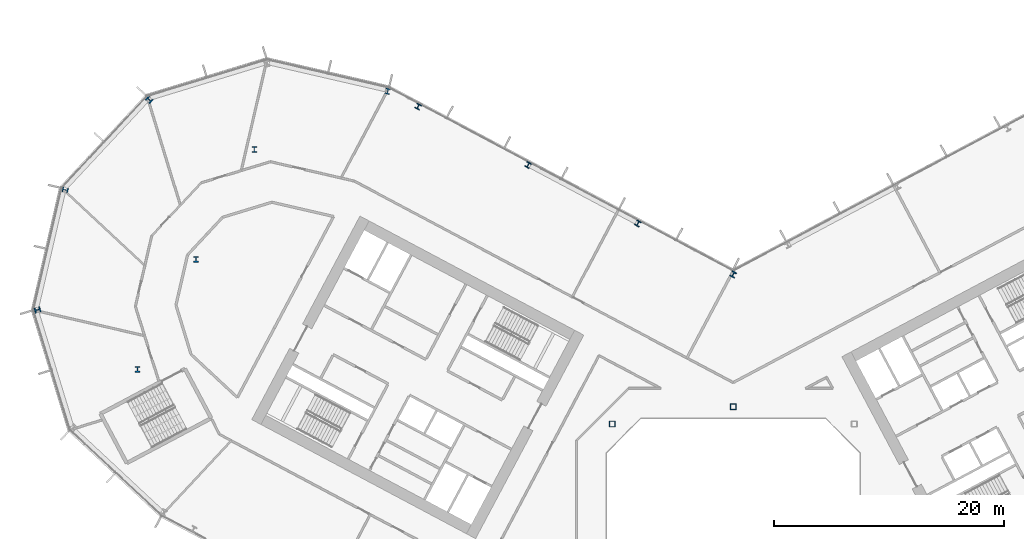
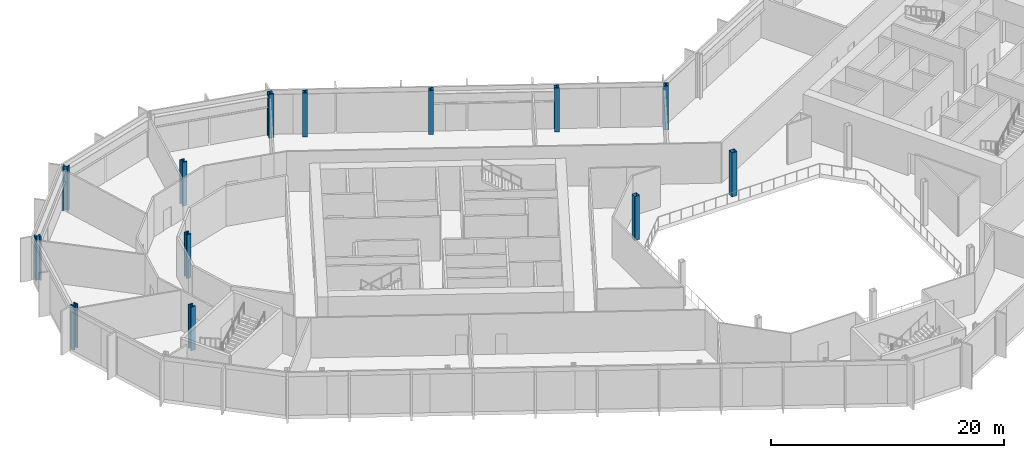
# One storey, part 2 of 30: 13 columns.
"""IFC4 building model written with IfcOpenShell, lengths in metres."""

from ifc_helpers import new_model, si_unit, direction, frame, origin, origin_2d, place, context, subcontext, project, spatial, hollow_rectangle, i_section, extrude, material, material_profile, profile_set, type_object, element, save


model = new_model("IFC4")

# Units and contexts
model_context = context("Model", 3, precision=1e-05, world=origin(), true_north=direction((0.0, 1.0)))
body_context = subcontext(model_context, "Body", "Model", "MODEL_VIEW")
ifc_project = project(units=[si_unit("LENGTHUNIT", "METRE"), si_unit("AREAUNIT", "SQUARE_METRE"), si_unit("VOLUMEUNIT", "CUBIC_METRE"), si_unit("PLANEANGLEUNIT", "RADIAN"), si_unit("MASSUNIT", "GRAM", prefix="KILO")], contexts=[model_context])

# Site, building, storey
site_placement = place(None, origin())
site = spatial("IfcSite", under=ifc_project, at=site_placement, CompositionType="ELEMENT")
building_placement = place(site_placement, origin())
building = spatial("IfcBuilding", under=site, at=building_placement, Name="Cormorant Relay Tower", CompositionType="ELEMENT")
storey_placement = place(building_placement, frame((0.0, 0.0, 89.199951171875)))
storey = spatial("IfcBuildingStorey", under=building, at=storey_placement, Name="L17", CompositionType="ELEMENT", Elevation=89.199951171875)

# Columns
ifc_material_1 = material(Name="Steel ASTM A500 Grade C (Fy 345 MPa)", Category="steel")
ifc_material_profile_1 = material_profile(ifc_material_1, hollow_rectangle(XDim=0.508056640625, YDim=0.508056640625, WallThickness=0.020751953125, InnerFilletRadius=0.01025390625, OuterFilletRadius=0.031005859375, at=origin_2d()), Name="HSS508x508x21")
ifc_profile_set_1 = profile_set([ifc_material_profile_1], Name="Steel ASTM A500 Grade C (Fy 345 MPa)")
column_type_1 = type_object("IfcColumnType", Name="Column HSS508x508x21", PredefinedType="COLUMN", material=ifc_profile_set_1)
for number, where, z_axis, x_axis, name in (
    (1, (-10.5, 10.5, 0.0), (0.0, 0.0, 1.0), (1.0, 0.0, 0.0), "Column L17-022"),
    (2, (0.0, 12.0, 0.0), (0.0, 0.0, 1.0), (1.0, 0.0, 0.0), "Column L17-024"),
):
    element("IfcColumn", number, at=place(storey_placement, frame(where, z_axis=z_axis, x_axis=x_axis)), inside=storey, type_object=column_type_1, Name=name, PredefinedType="COLUMN", context=body_context, shape_type="SweptSolid", body=[
        extrude(hollow_rectangle(XDim=0.508056640625, YDim=0.508056640625, WallThickness=0.020751953125, InnerFilletRadius=0.01025390625, OuterFilletRadius=0.031005859375, at=origin_2d()), origin(), (0.0, 0.0, 1.0), 4.60009765625),
    ])
ifc_material_2 = material(Name="Steel ASTM A992 (Fy 345 MPa)", Category="steel")
ifc_material_profile_2 = material_profile(ifc_material_2, i_section(OverallWidth=0.42431640625, OverallDepth=0.47509765625, WebThickness=0.0478515625, FlangeThickness=0.0771484375, FilletRadius=0.014892578125, at=origin_2d()), Name="W360x634")
ifc_profile_set_2 = profile_set([ifc_material_profile_2], Name="Steel ASTM A992 (Fy 345 MPa)")
column_type_2 = type_object("IfcColumnType", Name="Column W360x634", PredefinedType="COLUMN", material=ifc_profile_set_2)
for number, where, z_axis, x_axis, name in (
    (3, (-8.26611328125, 27.906982421875, 0.0), (0.0, 0.0, 1.0), (-0.882947592859, 0.469471562786, 0.0), "Column L17-036"),
    (4, (-17.802001953125, 32.97802734375, 0.0), (0.0, 0.0, 1.0), (-0.882947592859, 0.469471562786, 0.0), "Column L17-041"),
    (5, (-27.337890625, 38.048095703125, 0.0), (0.0, 0.0, 1.0), (-0.882947592859, 0.469471562786, 0.0), "Column L17-046"),
):
    element("IfcColumn", number, at=place(storey_placement, frame(where, z_axis=z_axis, x_axis=x_axis)), inside=storey, type_object=column_type_2, Name=name, PredefinedType="COLUMN", context=body_context, shape_type="SweptSolid", body=[
        extrude(i_section(OverallWidth=0.42431640625, OverallDepth=0.47509765625, WebThickness=0.0478515625, FlangeThickness=0.0771484375, FilletRadius=0.014892578125, at=origin_2d()), origin(), (0.0, 0.0, 1.0), 4.60009765625),
    ])
ifc_material_3 = material(Name="Steel ASTM A992 (Fy 345 MPa)", Category="steel")
ifc_material_profile_3 = material_profile(ifc_material_3, i_section(OverallWidth=0.43701171875, OverallDepth=0.51318359375, WebThickness=0.060546875, FlangeThickness=0.096923828125, FilletRadius=0.015380859375, at=origin_2d()), Name="W360x818")
ifc_profile_set_3 = profile_set([ifc_material_profile_3], Name="Steel ASTM A992 (Fy 345 MPa)")
column_type_3 = type_object("IfcColumnType", Name="Column W360x818", PredefinedType="COLUMN", material=ifc_profile_set_3)
for number, where, z_axis, x_axis, name in (
    (6, (-51.68994140625, 15.251953125, 0.0), (0.0, 0.0, 1.0), (1.0, 0.0, 0.0), "Column L17-027"),
    (7, (-60.3701171875, 20.406005859375, 0.0), (0.0, 0.0, 1.0), (0.292371704723, -0.956304755963, 0.0), "Column L17-030"),
    (8, (0.0, 23.48388671875, 0.0), (0.0, 0.0, 1.0), (-0.882947592859, 0.469471562786, 0.0), "Column L17-032"),
    (9, (-46.6201171875, 24.7880859375, 0.0), (0.0, 0.0, 1.0), (1.0, 0.0, 0.0), "Column L17-034"),
    (10, (-57.966064453125, 30.821044921875, 0.0), (0.0, 0.0, 1.0), (-0.224951054344, -0.974370064785, 0.0), "Column L17-038"),
    (11, (-41.549072265625, 34.323974609375, 0.0), (0.0, 0.0, 1.0), (1.0, 0.0, 0.0), "Column L17-043"),
    (12, (-50.675048828125, 38.637939453125, 0.0), (0.0, 0.0, 1.0), (-0.681998360062, -0.731353701619, 0.0), "Column L17-047"),
    (13, (-29.98193359375, 39.3779296875, 0.0), (0.0, 0.0, 1.0), (-0.974370064785, 0.224951054344, 0.0), "Column L17-048"),
):
    element("IfcColumn", number, at=place(storey_placement, frame(where, z_axis=z_axis, x_axis=x_axis)), inside=storey, type_object=column_type_3, Name=name, PredefinedType="COLUMN", context=body_context, shape_type="SweptSolid", body=[
        extrude(i_section(OverallWidth=0.43701171875, OverallDepth=0.51318359375, WebThickness=0.060546875, FlangeThickness=0.096923828125, FilletRadius=0.015380859375, at=origin_2d()), origin(), (0.0, 0.0, 1.0), 4.60009765625),
    ])

save(model, "model.ifc")
